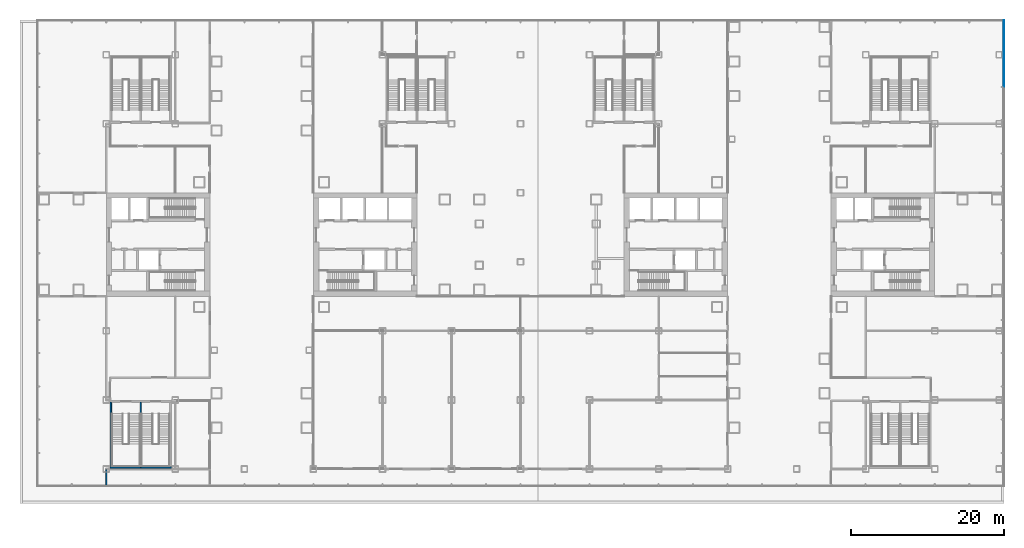
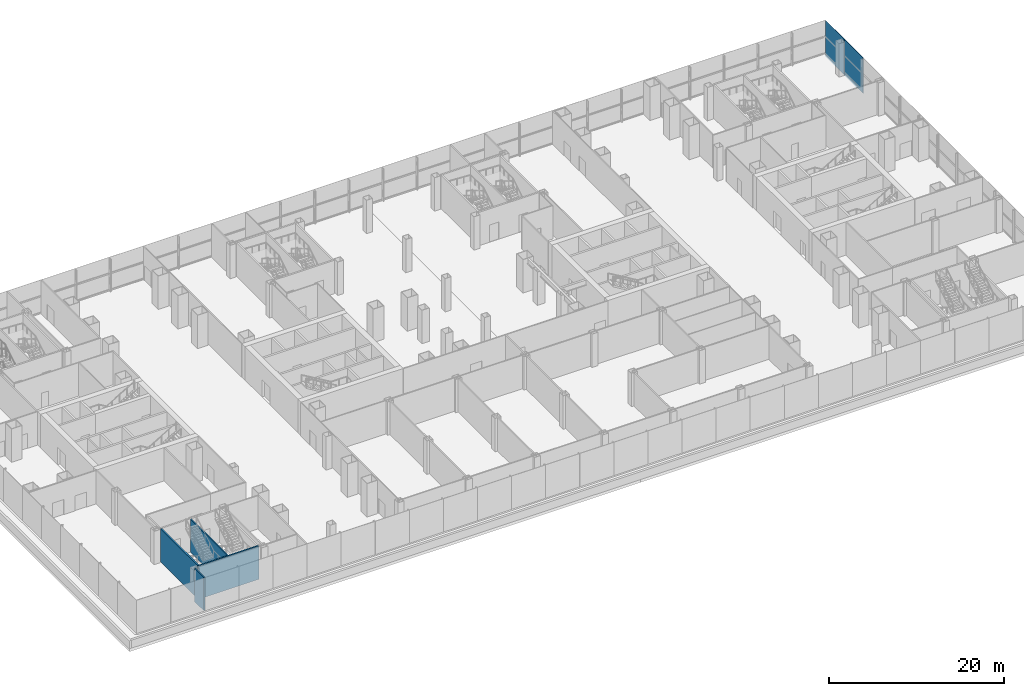
# One storey, part 16 of 30: 4 walls, 2 plates, 1 element without a shape of its own.
"""IFC4 building model written with IfcOpenShell, lengths in metres."""

from ifc_helpers import new_model, si_unit, direction, frame, frame_2d, origin, origin_2d, place, context, subcontext, project, spatial, rectangle, extrude, material, layer, layer_set, type_object, element, aggregate, save


model = new_model("IFC4")

# Units and contexts
model_context = context("Model", 3, precision=1e-05, world=origin(), true_north=direction((0.0, 1.0)))
body_context = subcontext(model_context, "Body", "Model", "MODEL_VIEW")
ifc_project = project(units=[si_unit("LENGTHUNIT", "METRE"), si_unit("AREAUNIT", "SQUARE_METRE"), si_unit("VOLUMEUNIT", "CUBIC_METRE"), si_unit("PLANEANGLEUNIT", "RADIAN"), si_unit("MASSUNIT", "GRAM", prefix="KILO")], contexts=[model_context])

# Site, building, storey
site_placement = place(None, origin())
site = spatial("IfcSite", under=ifc_project, at=site_placement, CompositionType="ELEMENT")
building_placement = place(site_placement, origin())
building = spatial("IfcBuilding", under=site, at=building_placement, Name="Shamsa Quay Exchange Towers", CompositionType="ELEMENT")
storey_placement = place(building_placement, frame((0.0, 0.0, 23.5)))
storey = spatial("IfcBuildingStorey", under=building, at=storey_placement, Name="L04", CompositionType="ELEMENT", Elevation=23.5)

# Curtain wall, plates
ifc_material_1 = material(Name="Aluminium EN AW-6063 T6, black anodised", Category="aluminium")
ifc_layer_1 = layer(ifc_material_1, 0.33203125)
ifc_layer_set_1 = layer_set([ifc_layer_1], Name="CW-3 PODIUM SHOPFRONT GLAZING")
curtain_wall_type = type_object("IfcCurtainWallType", Name="CW-3 PODIUM SHOPFRONT GLAZING", PredefinedType="NOTDEFINED", material=ifc_layer_set_1)
curtain_wall_placement = place(storey_placement, origin())
curtain_wall = element("IfcCurtainWall", 1, at=curtain_wall_placement, inside=storey, type_object=curtain_wall_type, Name="CW3 PODIUM-L04-F00", PredefinedType="NOTDEFINED")
ifc_material_2 = material(Name="Glass, laminated, impact rated, clear low iron", Category="glass")
ifc_layer_2 = layer(ifc_material_2, 0.031982421875)
ifc_layer_set_2 = layer_set([ifc_layer_2], Name="CW-3 SHOPFRONT GLASS 32")
plate_type = type_object("IfcPlateType", Name="CW-3 SHOPFRONT GLASS 32", PredefinedType="CURTAIN_PANEL", material=ifc_layer_set_2)
plate_1_placement = place(storey_placement, frame((63.01611328125, 22.740966796875, -0.35009765625), z_axis=(0.0, 0.0, 1.0), x_axis=(0.0, 1.0, 0.0)))
plate_1 = element("IfcPlate", 2, at=plate_1_placement, type_object=plate_type, Name="CW3 glass panel", PredefinedType="CURTAIN_PANEL", context=body_context, shape_type="SweptSolid", body=[
    extrude(rectangle(XDim=4.329345703125, YDim=0.031982421875, at=origin_2d()), origin(), (0.0, 0.0, 1.0), 5.0),
])
plate_2_placement = place(storey_placement, frame((63.01611328125, 27.082763671875, -0.35009765625), z_axis=(0.0, 0.0, 1.0), x_axis=(0.0, 1.0, 0.0)))
plate_2 = element("IfcPlate", 3, at=plate_2_placement, type_object=plate_type, Name="CW3 glass panel", PredefinedType="CURTAIN_PANEL", context=body_context, shape_type="SweptSolid", body=[
    extrude(rectangle(XDim=4.334228515625, YDim=0.031982421875, at=origin_2d()), origin(), (0.0, 0.0, 1.0), 5.0),
])
aggregate(curtain_wall, [plate_1, plate_2])

# Walls
ifc_material_3 = material(Name="Gypsum board partition on metal studs")
ifc_layer_3 = layer(ifc_material_3, 0.14990234375)
ifc_layer_set_3 = layer_set([ifc_layer_3], Name="Partition 150 mm EI 60")
wall_type_1 = type_object("IfcWallType", Name="Partition 150 mm EI 60", PredefinedType="PARTITIONING", material=ifc_layer_set_3)
wall_1_placement = place(storey_placement, frame((-54.0, -31.405029296875, 0.0), z_axis=(0.0, 0.0, 1.0), x_axis=(0.0, 1.0, 0.0)))
element("IfcWall", 4, at=wall_1_placement, inside=storey, type_object=wall_type_1, Name="Partition PD-L04-W55", PredefinedType="PARTITIONING", context=body_context, shape_type="SweptSolid", body=[
    extrude(rectangle(XDim=2.080078125, YDim=0.14990234375, at=frame_2d((1.0400390625, 0.0))), origin(), (0.0, 0.0, 1.0), 4.64990234375),
])
ifc_material_4 = material(Name="Concrete C50/60", Category="concrete")
ifc_layer_4 = layer(ifc_material_4, 0.199951171875)
ifc_layer_set_4 = layer_set([ifc_layer_4], Name="STAIR ENCLOSURE WALL 200 C50/60")
wall_type_2 = type_object("IfcWallType", Name="STAIR ENCLOSURE WALL 200 C50/60", PredefinedType="SHEAR", material=ifc_layer_set_4)
wall_2_placement = place(storey_placement, frame((-53.5, -29.050048828125, 0.0)))
element("IfcWall", 5, at=wall_2_placement, inside=storey, type_object=wall_type_2, Name="Stair enclosure wall PS5 outward", PredefinedType="SHEAR", context=body_context, shape_type="SweptSolid", body=[
    extrude(rectangle(XDim=8.0, YDim=0.199951171875, at=frame_2d((4.0, 0.0))), origin(), (0.0, 0.0, 1.0), 4.64990234375),
])
wall_3_placement = place(storey_placement, frame((-53.39990234375, -28.949951171875, 0.0), z_axis=(0.0, 0.0, 1.0), x_axis=(0.0, 1.0, 0.0)))
element("IfcWall", 6, at=wall_3_placement, inside=storey, type_object=wall_type_2, Name="Stair enclosure wall PS5 west", PredefinedType="SHEAR", context=body_context, shape_type="SweptSolid", body=[
    extrude(rectangle(XDim=8.39990234375, YDim=0.199951171875, at=frame_2d((4.199951171875, 0.0))), origin(), (0.0, 0.0, 1.0), 4.64990234375),
])
ifc_layer_5 = layer(ifc_material_4, 0.14990234375)
ifc_layer_set_5 = layer_set([ifc_layer_5], Name="STAIR PARTITION WALL 150 C50/60")
wall_type_3 = type_object("IfcWallType", Name="STAIR PARTITION WALL 150 C50/60", PredefinedType="SHEAR", material=ifc_layer_set_5)
wall_4_placement = place(storey_placement, frame((-49.5, -28.949951171875, 0.0), z_axis=(0.0, 0.0, 1.0), x_axis=(0.0, 1.0, 0.0)))
element("IfcWall", 7, at=wall_4_placement, inside=storey, type_object=wall_type_3, Name="Stair enclosure wall PS5 between the stairs", PredefinedType="SHEAR", context=body_context, shape_type="SweptSolid", body=[
    extrude(rectangle(XDim=8.39990234375, YDim=0.14990234375, at=frame_2d((4.199951171875, 0.0))), origin(), (0.0, 0.0, 1.0), 4.64990234375),
])

save(model, "model.ifc")
